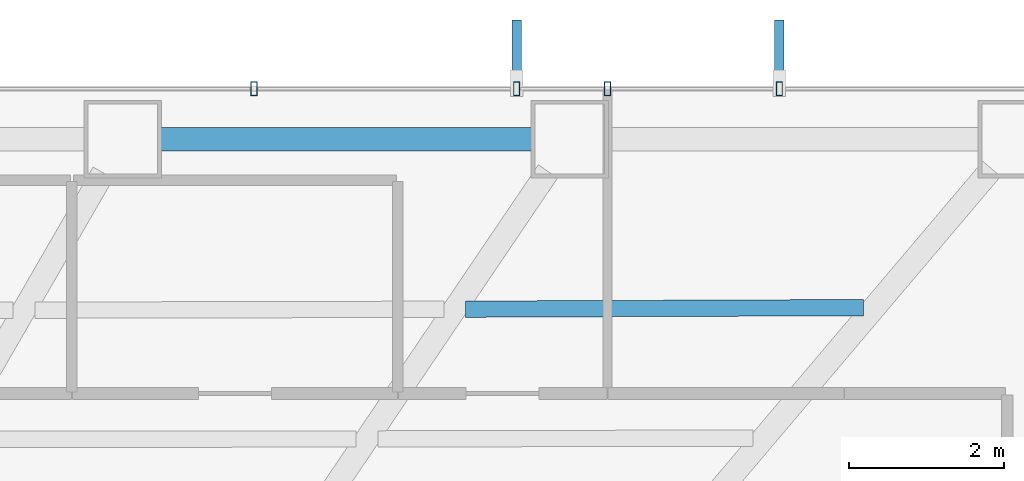
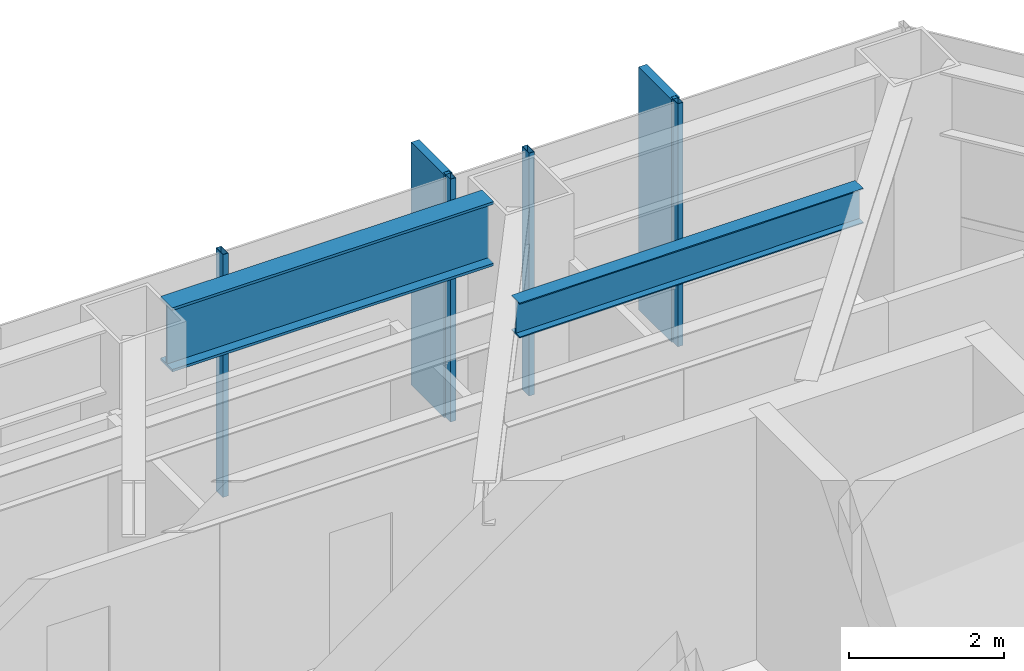
# One storey, part 15 of 25: 6 members, 2 beams, 1 element without a shape of its own.
"""IFC4 building model written with IfcOpenShell, lengths in metres."""

from ifc_helpers import new_model, si_unit, direction, frame, origin, origin_2d, place, context, subcontext, project, spatial, rectangle, hollow_rectangle, i_section, extrude, material, layer, layer_set, material_profile, profile_set, type_object, element, aggregate, save


model = new_model("IFC4")

# Units and contexts
model_context = context("Model", 3, precision=1e-05, world=origin(), true_north=direction((0.0, 1.0)))
body_context = subcontext(model_context, "Body", "Model", "MODEL_VIEW")
ifc_project = project(units=[si_unit("LENGTHUNIT", "METRE"), si_unit("AREAUNIT", "SQUARE_METRE"), si_unit("VOLUMEUNIT", "CUBIC_METRE"), si_unit("PLANEANGLEUNIT", "RADIAN"), si_unit("MASSUNIT", "GRAM", prefix="KILO")], contexts=[model_context])

# Site, building, storey
site_placement = place(None, origin())
site = spatial("IfcSite", under=ifc_project, at=site_placement, CompositionType="ELEMENT")
building_placement = place(site_placement, origin())
building = spatial("IfcBuilding", under=site, at=building_placement, Name="Zarrinselat Tower", CompositionType="ELEMENT")
storey_placement = place(building_placement, frame((0.0, 0.0, 52.02001953125)))
storey = spatial("IfcBuildingStorey", under=building, at=storey_placement, Name="L12", CompositionType="ELEMENT", Elevation=52.02001953125)

# Beams
ifc_material_1 = material(Name="Steel S460M", Category="steel")
ifc_material_profile_1 = material_profile(ifc_material_1, i_section(OverallWidth=0.302001953125, OverallDepth=1.008056640625, WebThickness=0.02099609375, FlangeThickness=0.0400390625, at=origin_2d()), Name="HEM 1000")
ifc_profile_set_1 = profile_set([ifc_material_profile_1], Name="Steel S460M")
beam_type_1 = type_object("IfcBeamType", Name="BM-HEM1000", PredefinedType="BEAM", material=ifc_profile_set_1)
beam_1_placement = place(storey_placement, frame((39.542236328125, 49.27783203125, 3.31591796875), z_axis=(1.0, 0.0, 0.0), x_axis=(0.0, 1.0, 0.0)))
element("IfcBeam", 1, at=beam_1_placement, inside=storey, type_object=beam_type_1, Name="L12 Perimeter Spandrel Girder SP02", PredefinedType="BEAM", context=body_context, shape_type="SweptSolid", body=[
    extrude(i_section(OverallWidth=0.302001953125, OverallDepth=1.008056640625, WebThickness=0.02099609375, FlangeThickness=0.0400390625, at=origin_2d()), origin(), (0.0, 0.0, 1.0), 4.7841796875),
])
ifc_material_2 = material(Name="Steel S355J2", Category="steel")
ifc_material_profile_2 = material_profile(ifc_material_2, i_section(OverallWidth=0.2099609375, OverallDepth=0.550048828125, WebThickness=0.010986328125, FlangeThickness=0.01708984375, at=origin_2d()), Name="IPE 550")
ifc_profile_set_2 = profile_set([ifc_material_profile_2], Name="Steel S355J2")
beam_type_2 = type_object("IfcBeamType", Name="BM-IPE550", PredefinedType="JOIST", material=ifc_profile_set_2)
beam_2_placement = place(storey_placement, frame((43.4716796875, 47.087158203125, 3.544921875), z_axis=(0.999992184224, 0.003953667951, 0.0), x_axis=(-0.003953667951, 0.999992184224, 0.0)))
element("IfcBeam", 2, at=beam_2_placement, inside=storey, type_object=beam_type_2, Name="L12 Composite Floor Joist 7-1", PredefinedType="JOIST", context=body_context, shape_type="SweptSolid", body=[
    extrude(i_section(OverallWidth=0.2099609375, OverallDepth=0.550048828125, WebThickness=0.010986328125, FlangeThickness=0.01708984375, at=origin_2d()), origin(), (0.0, 0.0, 1.0), 5.125244140625),
])

# Curtain wall, members
ifc_material_3 = material(Name="Extruded Aluminium Alloy EN AW-6063 T6", Category="aluminium")
ifc_layer = layer(ifc_material_3, 0.18505859375)
ifc_layer_set = layer_set([ifc_layer], Name="Extruded Aluminium Alloy EN AW-6063 T6")
curtain_wall_type = type_object("IfcCurtainWallType", Name="CWS-OFF", PredefinedType="NOTDEFINED", material=ifc_layer_set)
curtain_wall_placement = place(storey_placement, origin())
curtain_wall = element("IfcCurtainWall", 3, at=curtain_wall_placement, inside=storey, type_object=curtain_wall_type, Name="L12 Unitised Curtain Wall CW-L12-E01", PredefinedType="NOTDEFINED")
ifc_material_4 = material(Name="Extruded Aluminium Alloy EN AW-6063 T6", Category="aluminium")
ifc_material_profile_3 = material_profile(ifc_material_4, hollow_rectangle(XDim=0.080078125, YDim=0.179931640625, WallThickness=0.0048828125, at=origin_2d()), Name="RHS 180x80x5")
ifc_profile_set_3 = profile_set([ifc_material_profile_3], Name="Extruded Aluminium Alloy EN AW-6063 T6")
member_type_1 = type_object("IfcMemberType", Name="MEM-CW-MUL", PredefinedType="MULLION", material=ifc_profile_set_3)
member_1_placement = place(storey_placement, frame((47.513427734375, 49.927734375, 0.0), z_axis=(0.0, 0.0, 1.0), x_axis=(-1.0, 0.0, 0.0)))
member_1 = element("IfcMember", 4, at=member_1_placement, type_object=member_type_1, Name="CW-L12-E01 Mullion 1", PredefinedType="MULLION", context=body_context, shape_type="SweptSolid", body=[
    extrude(hollow_rectangle(XDim=0.080078125, YDim=0.179931640625, WallThickness=0.0048828125, at=origin_2d()), origin(), (0.0, 0.0, 1.0), 3.820068359375),
])
member_2_placement = place(storey_placement, frame((45.300048828125, 49.927734375, 0.0), z_axis=(0.0, 0.0, 1.0), x_axis=(-1.0, 0.0, 0.0)))
member_2 = element("IfcMember", 5, at=member_2_placement, type_object=member_type_1, Name="CW-L12-E01 Mullion 2", PredefinedType="MULLION", context=body_context, shape_type="SweptSolid", body=[
    extrude(hollow_rectangle(XDim=0.080078125, YDim=0.179931640625, WallThickness=0.0048828125, at=origin_2d()), origin(), (0.0, 0.0, 1.0), 3.820068359375),
])
member_3_placement = place(storey_placement, frame((44.1298828125, 49.927734375, 0.0), z_axis=(0.0, 0.0, 1.0), x_axis=(-1.0, 0.0, 0.0)))
member_3 = element("IfcMember", 6, at=member_3_placement, type_object=member_type_1, Name="CW-L12-E01 Mullion 3", PredefinedType="MULLION", context=body_context, shape_type="SweptSolid", body=[
    extrude(hollow_rectangle(XDim=0.080078125, YDim=0.179931640625, WallThickness=0.0048828125, at=origin_2d()), origin(), (0.0, 0.0, 1.0), 3.820068359375),
])
member_4_placement = place(storey_placement, frame((40.74609375, 49.927734375, 0.0), z_axis=(0.0, 0.0, 1.0), x_axis=(-1.0, 0.0, 0.0)))
member_4 = element("IfcMember", 7, at=member_4_placement, type_object=member_type_1, Name="CW-L12-E01 Mullion 4", PredefinedType="MULLION", context=body_context, shape_type="SweptSolid", body=[
    extrude(hollow_rectangle(XDim=0.080078125, YDim=0.179931640625, WallThickness=0.0048828125, at=origin_2d()), origin(), (0.0, 0.0, 1.0), 3.820068359375),
])
ifc_material_5 = material(Name="Honed Cream Travertine Stone", Category="masonry")
ifc_material_profile_4 = material_profile(ifc_material_5, rectangle(XDim=0.1201171875, YDim=0.85009765625, at=origin_2d()), Name="FIN 850x120")
ifc_profile_set_4 = profile_set([ifc_material_profile_4], Name="Honed Cream Travertine Stone")
member_type_2 = type_object("IfcMemberType", Name="MEM-STONE-FIN", PredefinedType="USERDEFINED", material=ifc_profile_set_4)
member_5_placement = place(storey_placement, frame((47.513427734375, 50.3876953125, 0.0), z_axis=(0.0, 0.0, 1.0), x_axis=(1.0, 0.0, 0.0)))
member_5 = element("IfcMember", 8, at=member_5_placement, type_object=member_type_2, Name="L12 Stone Shading Fin CW-L12-E01-01", ObjectType="FIN", PredefinedType="USERDEFINED", context=body_context, shape_type="SweptSolid", body=[
    extrude(rectangle(XDim=0.1201171875, YDim=0.85009765625, at=origin_2d()), origin(), (0.0, 0.0, 1.0), 3.820068359375),
])
member_6_placement = place(storey_placement, frame((44.1298828125, 50.3876953125, 0.0), z_axis=(0.0, 0.0, 1.0), x_axis=(1.0, 0.0, 0.0)))
member_6 = element("IfcMember", 9, at=member_6_placement, type_object=member_type_2, Name="L12 Stone Shading Fin CW-L12-E01-03", ObjectType="FIN", PredefinedType="USERDEFINED", context=body_context, shape_type="SweptSolid", body=[
    extrude(rectangle(XDim=0.1201171875, YDim=0.85009765625, at=origin_2d()), origin(), (0.0, 0.0, 1.0), 3.820068359375),
])
aggregate(curtain_wall, [member_1, member_5, member_2, member_3, member_6, member_4])

save(model, "model.ifc")
